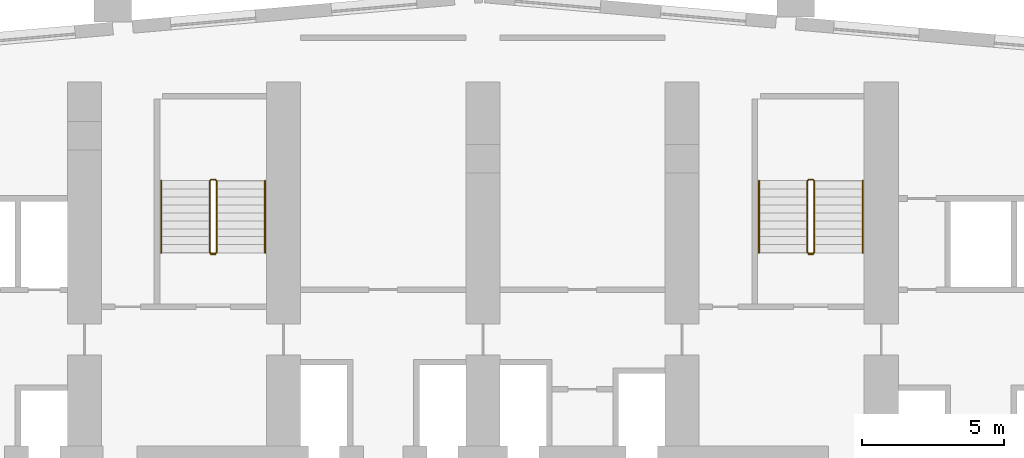
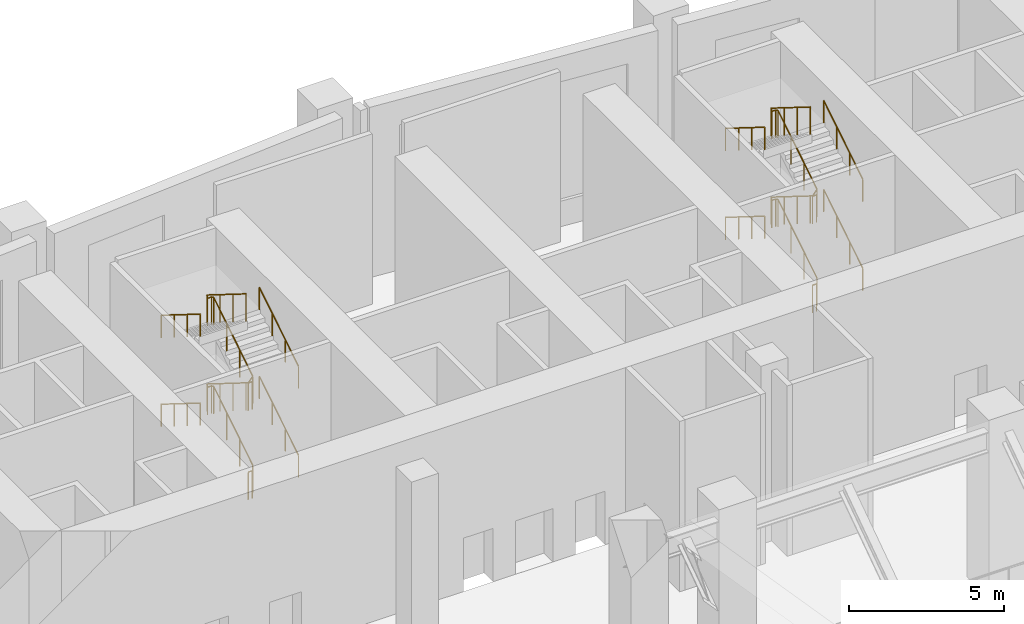
# One storey, part 40 of 41: 12 railings.
"""IFC4 building model written with IfcOpenShell, lengths in metres."""

from ifc_helpers import new_model, si_unit, direction, frame, origin, origin_2d, place, context, subcontext, project, spatial, circle, extrude, material, type_object, element, save


model = new_model("IFC4")

# Units and contexts
model_context = context("Model", 3, precision=1e-05, world=origin(), true_north=direction((0.0, 1.0)))
body_context = subcontext(model_context, "Body", "Model", "MODEL_VIEW")
ifc_project = project(units=[si_unit("LENGTHUNIT", "METRE"), si_unit("AREAUNIT", "SQUARE_METRE"), si_unit("VOLUMEUNIT", "CUBIC_METRE"), si_unit("PLANEANGLEUNIT", "RADIAN"), si_unit("MASSUNIT", "GRAM", prefix="KILO")], contexts=[model_context])

# Site, building, storey
site_placement = place(None, origin())
site = spatial("IfcSite", under=ifc_project, at=site_placement, CompositionType="ELEMENT")
building_placement = place(site_placement, origin())
building = spatial("IfcBuilding", under=site, at=building_placement, Name="Wharfspan Tower", CompositionType="ELEMENT")
storey_placement = place(building_placement, frame((0.0, 0.0, 8.0)))
storey = spatial("IfcBuildingStorey", under=building, at=storey_placement, Name="L01", CompositionType="ELEMENT", Elevation=8.0)

# Railings
ifc_material = material(Name="Steel S355J2", Category="steel")
railing_type_1 = type_object("IfcRailingType", Name="Stair guard 1100", PredefinedType="GUARDRAIL", material=ifc_material)
railing_1_placement = place(storey_placement, frame((27.649902, 42.0, 0.175049)))
element("IfcRailing", 1, at=railing_1_placement, inside=storey, type_object=railing_type_1, Name="L01 ST1 stair guard 1", PredefinedType="GUARDRAIL", context=body_context, shape_type="SweptSolid", body=[
    extrude(circle(Radius=0.023926, at=origin_2d()), frame((0.0, 0.0, 1.076172), z_axis=(0.0, 0.848008, 0.529984), x_axis=(-1.0, 0.0, 0.0)), (0.0, 0.0, 1.0), 2.97168),
    extrude(circle(Radius=0.023926, at=origin_2d()), frame((0.0, 2.52002, 2.650879), z_axis=(-0.705376, 0.708834, 0.0), x_axis=(-0.708834, -0.705376, 0.0)), (0.0, 0.0, 1.0), 0.070557),
    extrude(circle(Radius=0.023926, at=origin_2d()), frame((-0.049805, 2.570068, 2.650879), z_axis=(-1.0, 0.0, 0.0), x_axis=(0.0, -1.0, 0.0)), (0.0, 0.0, 1.0), 0.150146),
    extrude(circle(Radius=0.023926, at=origin_2d()), frame((-0.199951, 2.570068, 2.650879), z_axis=(-0.265065, -0.265065, 0.927082), x_axis=(0.707107, -0.707107, 0.0)), (0.0, 0.0, 1.0), 0.188721),
    extrude(circle(Radius=0.023926, at=origin_2d()), frame((-0.25, 2.52002, 2.826172), z_axis=(0.0, -0.848008, 0.529984), x_axis=(1.0, 0.0, 0.0)), (0.0, 0.0, 1.0), 2.97168),
    extrude(circle(Radius=0.023926, at=origin_2d()), frame((-0.25, 0.0, 4.400879), z_axis=(0.970143, -0.242536, 0.0), x_axis=(0.242536, 0.970143, 0.0)), (0.0, 0.0, 1.0), 0.206299),
    extrude(circle(Radius=0.023926, at=origin_2d()), frame((-0.049805, -0.050049, 4.400879), z_axis=(-1.0, 0.0, 0.0), x_axis=(0.0, -1.0, 0.0)), (0.0, 0.0, 1.0), 0.150146),
    extrude(circle(Radius=0.023926, at=origin_2d()), frame((-0.199951, -0.050049, 4.400879), z_axis=(0.739407, 0.185078, 0.64732), x_axis=(-0.242817, 0.970077, 1e-06)), (0.0, 0.0, 1.0), 0.270508),
    extrude(circle(Radius=0.023926, at=origin_2d()), frame((0.0, 0.0, 4.576172), z_axis=(0.0, 0.848008, 0.529984), x_axis=(-1.0, 0.0, 0.0)), (0.0, 0.0, 1.0), 2.97168),
    extrude(circle(Radius=0.023926, at=origin_2d()), frame((0.0, 2.52002, 6.150879), z_axis=(-0.705376, 0.708834, 0.0), x_axis=(-0.708834, -0.705376, 0.0)), (0.0, 0.0, 1.0), 0.070557),
    extrude(circle(Radius=0.023926, at=origin_2d()), frame((-0.049805, 2.570068, 6.150879), z_axis=(-1.0, 0.0, 0.0), x_axis=(0.0, -1.0, 0.0)), (0.0, 0.0, 1.0), 0.150146),
    extrude(circle(Radius=0.023926, at=origin_2d()), frame((-0.199951, 2.570068, 6.150879), z_axis=(-0.265065, -0.265065, 0.927082), x_axis=(0.707107, -0.707107, 0.0)), (0.0, 0.0, 1.0), 0.188721),
    extrude(circle(Radius=0.023926, at=origin_2d()), frame((-0.25, 2.52002, 6.326172), z_axis=(0.0, -0.848008, 0.529984), x_axis=(1.0, 0.0, 0.0)), (0.0, 0.0, 1.0), 2.97168),
    extrude(circle(Radius=0.020996, at=origin_2d()), origin(), (0.0, 0.0, 1.0), 1.052002),
    extrude(circle(Radius=0.020996, at=origin_2d()), frame((0.0, 0.840088, 0.524902)), (0.0, 0.0, 1.0), 1.052002),
    extrude(circle(Radius=0.020996, at=origin_2d()), frame((0.0, 1.679932, 1.050049)), (0.0, 0.0, 1.0), 1.052002),
    extrude(circle(Radius=0.020996, at=origin_2d()), frame((0.0, 2.52002, 1.574951)), (0.0, 0.0, 1.0), 1.052002),
    extrude(circle(Radius=0.020996, at=origin_2d()), frame((-0.049805, 2.570068, 1.574951)), (0.0, 0.0, 1.0), 1.052002),
    extrude(circle(Radius=0.020996, at=origin_2d()), frame((-0.199951, 2.570068, 1.574951)), (0.0, 0.0, 1.0), 1.052002),
    extrude(circle(Radius=0.020996, at=origin_2d()), frame((-0.25, 2.52002, 1.75)), (0.0, 0.0, 1.0), 1.052002),
    extrude(circle(Radius=0.020996, at=origin_2d()), frame((-0.25, 1.679932, 2.274902)), (0.0, 0.0, 1.0), 1.052002),
    extrude(circle(Radius=0.020996, at=origin_2d()), frame((-0.25, 0.840088, 2.800049)), (0.0, 0.0, 1.0), 1.052002),
    extrude(circle(Radius=0.020996, at=origin_2d()), frame((-0.25, 0.0, 3.324951)), (0.0, 0.0, 1.0), 1.052002),
    extrude(circle(Radius=0.020996, at=origin_2d()), frame((-0.049805, -0.050049, 3.324951)), (0.0, 0.0, 1.0), 1.052002),
    extrude(circle(Radius=0.020996, at=origin_2d()), frame((-0.199951, -0.050049, 3.324951)), (0.0, 0.0, 1.0), 1.052002),
    extrude(circle(Radius=0.020996, at=origin_2d()), frame((0.0, 0.0, 3.5)), (0.0, 0.0, 1.0), 1.052002),
    extrude(circle(Radius=0.020996, at=origin_2d()), frame((0.0, 0.840088, 4.024902)), (0.0, 0.0, 1.0), 1.052002),
    extrude(circle(Radius=0.020996, at=origin_2d()), frame((0.0, 1.679932, 4.550049)), (0.0, 0.0, 1.0), 1.052002),
    extrude(circle(Radius=0.020996, at=origin_2d()), frame((0.0, 2.52002, 5.074951)), (0.0, 0.0, 1.0), 1.052002),
    extrude(circle(Radius=0.020996, at=origin_2d()), frame((-0.049805, 2.570068, 5.074951)), (0.0, 0.0, 1.0), 1.052002),
    extrude(circle(Radius=0.020996, at=origin_2d()), frame((-0.199951, 2.570068, 5.074951)), (0.0, 0.0, 1.0), 1.052002),
    extrude(circle(Radius=0.020996, at=origin_2d()), frame((-0.25, 2.52002, 5.25)), (0.0, 0.0, 1.0), 1.052002),
    extrude(circle(Radius=0.020996, at=origin_2d()), frame((-0.25, 1.679932, 5.774902)), (0.0, 0.0, 1.0), 1.052002),
    extrude(circle(Radius=0.020996, at=origin_2d()), frame((-0.25, 0.840088, 6.300049)), (0.0, 0.0, 1.0), 1.052002),
    extrude(circle(Radius=0.020996, at=origin_2d()), frame((-0.25, 0.0, 6.824951)), (0.0, 0.0, 1.0), 1.052002),
])
railing_2_placement = place(storey_placement, frame((27.600098, 41.949951, 0.0)))
element("IfcRailing", 2, at=railing_2_placement, inside=storey, type_object=railing_type_1, Name="L01 ST1 stair guard 2", PredefinedType="GUARDRAIL", context=body_context, shape_type="SweptSolid", body=[
    extrude(circle(Radius=0.023926, at=origin_2d()), frame((0.0, 0.0, 1.076172), z_axis=(-1.0, 0.0, 0.0), x_axis=(0.0, -1.0, 0.0)), (0.0, 0.0, 1.0), 0.150146),
    extrude(circle(Radius=0.020996, at=origin_2d()), origin(), (0.0, 0.0, 1.0), 1.052002),
    extrude(circle(Radius=0.020996, at=origin_2d()), frame((-0.150146, 0.0, 0.0)), (0.0, 0.0, 1.0), 1.052002),
])
railing_3_placement = place(storey_placement, frame((48.649902, 42.0, 0.175049)))
element("IfcRailing", 3, at=railing_3_placement, inside=storey, type_object=railing_type_1, Name="L01 ST2 stair guard 1", PredefinedType="GUARDRAIL", context=body_context, shape_type="SweptSolid", body=[
    extrude(circle(Radius=0.023926, at=origin_2d()), frame((0.0, 0.0, 1.076172), z_axis=(0.0, 0.848008, 0.529984), x_axis=(-1.0, 0.0, 0.0)), (0.0, 0.0, 1.0), 2.97168),
    extrude(circle(Radius=0.023926, at=origin_2d()), frame((0.0, 2.52002, 2.650879), z_axis=(-0.705376, 0.708834, 0.0), x_axis=(-0.708834, -0.705376, 0.0)), (0.0, 0.0, 1.0), 0.070557),
    extrude(circle(Radius=0.023926, at=origin_2d()), frame((-0.049805, 2.570068, 2.650879), z_axis=(-1.0, 0.0, 0.0), x_axis=(0.0, -1.0, 0.0)), (0.0, 0.0, 1.0), 0.150146),
    extrude(circle(Radius=0.023926, at=origin_2d()), frame((-0.199951, 2.570068, 2.650879), z_axis=(-0.265065, -0.265065, 0.927082), x_axis=(0.707107, -0.707107, 0.0)), (0.0, 0.0, 1.0), 0.188721),
    extrude(circle(Radius=0.023926, at=origin_2d()), frame((-0.25, 2.52002, 2.826172), z_axis=(0.0, -0.848008, 0.529984), x_axis=(1.0, 0.0, 0.0)), (0.0, 0.0, 1.0), 2.97168),
    extrude(circle(Radius=0.023926, at=origin_2d()), frame((-0.25, 0.0, 4.400879), z_axis=(0.970143, -0.242536, 0.0), x_axis=(0.242536, 0.970143, 0.0)), (0.0, 0.0, 1.0), 0.206299),
    extrude(circle(Radius=0.023926, at=origin_2d()), frame((-0.049805, -0.050049, 4.400879), z_axis=(-1.0, 0.0, 0.0), x_axis=(0.0, -1.0, 0.0)), (0.0, 0.0, 1.0), 0.150146),
    extrude(circle(Radius=0.023926, at=origin_2d()), frame((-0.199951, -0.050049, 4.400879), z_axis=(0.739407, 0.185078, 0.64732), x_axis=(-0.242817, 0.970077, 1e-06)), (0.0, 0.0, 1.0), 0.270508),
    extrude(circle(Radius=0.023926, at=origin_2d()), frame((0.0, 0.0, 4.576172), z_axis=(0.0, 0.848008, 0.529984), x_axis=(-1.0, 0.0, 0.0)), (0.0, 0.0, 1.0), 2.97168),
    extrude(circle(Radius=0.023926, at=origin_2d()), frame((0.0, 2.52002, 6.150879), z_axis=(-0.705376, 0.708834, 0.0), x_axis=(-0.708834, -0.705376, 0.0)), (0.0, 0.0, 1.0), 0.070557),
    extrude(circle(Radius=0.023926, at=origin_2d()), frame((-0.049805, 2.570068, 6.150879), z_axis=(-1.0, 0.0, 0.0), x_axis=(0.0, -1.0, 0.0)), (0.0, 0.0, 1.0), 0.150146),
    extrude(circle(Radius=0.023926, at=origin_2d()), frame((-0.199951, 2.570068, 6.150879), z_axis=(-0.265065, -0.265065, 0.927082), x_axis=(0.707107, -0.707107, 0.0)), (0.0, 0.0, 1.0), 0.188721),
    extrude(circle(Radius=0.023926, at=origin_2d()), frame((-0.25, 2.52002, 6.326172), z_axis=(0.0, -0.848008, 0.529984), x_axis=(1.0, 0.0, 0.0)), (0.0, 0.0, 1.0), 2.97168),
    extrude(circle(Radius=0.020996, at=origin_2d()), origin(), (0.0, 0.0, 1.0), 1.052002),
    extrude(circle(Radius=0.020996, at=origin_2d()), frame((0.0, 0.840088, 0.524902)), (0.0, 0.0, 1.0), 1.052002),
    extrude(circle(Radius=0.020996, at=origin_2d()), frame((0.0, 1.679932, 1.050049)), (0.0, 0.0, 1.0), 1.052002),
    extrude(circle(Radius=0.020996, at=origin_2d()), frame((0.0, 2.52002, 1.574951)), (0.0, 0.0, 1.0), 1.052002),
    extrude(circle(Radius=0.020996, at=origin_2d()), frame((-0.049805, 2.570068, 1.574951)), (0.0, 0.0, 1.0), 1.052002),
    extrude(circle(Radius=0.020996, at=origin_2d()), frame((-0.199951, 2.570068, 1.574951)), (0.0, 0.0, 1.0), 1.052002),
    extrude(circle(Radius=0.020996, at=origin_2d()), frame((-0.25, 2.52002, 1.75)), (0.0, 0.0, 1.0), 1.052002),
    extrude(circle(Radius=0.020996, at=origin_2d()), frame((-0.25, 1.679932, 2.274902)), (0.0, 0.0, 1.0), 1.052002),
    extrude(circle(Radius=0.020996, at=origin_2d()), frame((-0.25, 0.840088, 2.800049)), (0.0, 0.0, 1.0), 1.052002),
    extrude(circle(Radius=0.020996, at=origin_2d()), frame((-0.25, 0.0, 3.324951)), (0.0, 0.0, 1.0), 1.052002),
    extrude(circle(Radius=0.020996, at=origin_2d()), frame((-0.049805, -0.050049, 3.324951)), (0.0, 0.0, 1.0), 1.052002),
    extrude(circle(Radius=0.020996, at=origin_2d()), frame((-0.199951, -0.050049, 3.324951)), (0.0, 0.0, 1.0), 1.052002),
    extrude(circle(Radius=0.020996, at=origin_2d()), frame((0.0, 0.0, 3.5)), (0.0, 0.0, 1.0), 1.052002),
    extrude(circle(Radius=0.020996, at=origin_2d()), frame((0.0, 0.840088, 4.024902)), (0.0, 0.0, 1.0), 1.052002),
    extrude(circle(Radius=0.020996, at=origin_2d()), frame((0.0, 1.679932, 4.550049)), (0.0, 0.0, 1.0), 1.052002),
    extrude(circle(Radius=0.020996, at=origin_2d()), frame((0.0, 2.52002, 5.074951)), (0.0, 0.0, 1.0), 1.052002),
    extrude(circle(Radius=0.020996, at=origin_2d()), frame((-0.049805, 2.570068, 5.074951)), (0.0, 0.0, 1.0), 1.052002),
    extrude(circle(Radius=0.020996, at=origin_2d()), frame((-0.199951, 2.570068, 5.074951)), (0.0, 0.0, 1.0), 1.052002),
    extrude(circle(Radius=0.020996, at=origin_2d()), frame((-0.25, 2.52002, 5.25)), (0.0, 0.0, 1.0), 1.052002),
    extrude(circle(Radius=0.020996, at=origin_2d()), frame((-0.25, 1.679932, 5.774902)), (0.0, 0.0, 1.0), 1.052002),
    extrude(circle(Radius=0.020996, at=origin_2d()), frame((-0.25, 0.840088, 6.300049)), (0.0, 0.0, 1.0), 1.052002),
    extrude(circle(Radius=0.020996, at=origin_2d()), frame((-0.25, 0.0, 6.824951)), (0.0, 0.0, 1.0), 1.052002),
])
railing_4_placement = place(storey_placement, frame((48.600098, 41.949951, 0.0)))
element("IfcRailing", 4, at=railing_4_placement, inside=storey, type_object=railing_type_1, Name="L01 ST2 stair guard 2", PredefinedType="GUARDRAIL", context=body_context, shape_type="SweptSolid", body=[
    extrude(circle(Radius=0.023926, at=origin_2d()), frame((0.0, 0.0, 1.076172), z_axis=(-1.0, 0.0, 0.0), x_axis=(0.0, -1.0, 0.0)), (0.0, 0.0, 1.0), 0.150146),
    extrude(circle(Radius=0.020996, at=origin_2d()), origin(), (0.0, 0.0, 1.0), 1.052002),
    extrude(circle(Radius=0.020996, at=origin_2d()), frame((-0.150146, 0.0, 0.0)), (0.0, 0.0, 1.0), 1.052002),
])
railing_type_2 = type_object("IfcRailingType", Name="Stair handrail 900", PredefinedType="HANDRAIL", material=ifc_material)
railing_5_placement = place(storey_placement, frame((29.350098, 42.0, 0.175049)))
element("IfcRailing", 5, at=railing_5_placement, inside=storey, type_object=railing_type_2, Name="L01 ST1 stair handrail 1", PredefinedType="HANDRAIL", context=body_context, shape_type="SweptSolid", body=[
    extrude(circle(Radius=0.023926, at=origin_2d()), frame((0.0, 0.0, 0.875977), z_axis=(0.0, 0.848008, 0.529984), x_axis=(-1.0, 0.0, 0.0)), (0.0, 0.0, 1.0), 2.97168),
    extrude(circle(Radius=0.020996, at=origin_2d()), origin(), (0.0, 0.0, 1.0), 0.851807),
    extrude(circle(Radius=0.020996, at=origin_2d()), frame((0.0, 0.840088, 0.524902)), (0.0, 0.0, 1.0), 0.851807),
    extrude(circle(Radius=0.020996, at=origin_2d()), frame((0.0, 1.679932, 1.050049)), (0.0, 0.0, 1.0), 0.851807),
    extrude(circle(Radius=0.020996, at=origin_2d()), frame((0.0, 2.52002, 1.574951)), (0.0, 0.0, 1.0), 0.851807),
])
railing_6_placement = place(storey_placement, frame((25.699951, 44.52002, 1.925049)))
element("IfcRailing", 6, at=railing_6_placement, inside=storey, type_object=railing_type_2, Name="L01 ST1 stair handrail 2", PredefinedType="HANDRAIL", context=body_context, shape_type="SweptSolid", body=[
    extrude(circle(Radius=0.023926, at=origin_2d()), frame((0.0, 0.0, 0.875977), z_axis=(0.0, -0.848008, 0.529984), x_axis=(1.0, 0.0, 0.0)), (0.0, 0.0, 1.0), 2.97168),
    extrude(circle(Radius=0.020996, at=origin_2d()), origin(), (0.0, 0.0, 1.0), 0.851807),
    extrude(circle(Radius=0.020996, at=origin_2d()), frame((0.0, -0.840088, 0.524902)), (0.0, 0.0, 1.0), 0.851807),
    extrude(circle(Radius=0.020996, at=origin_2d()), frame((0.0, -1.679932, 1.050049)), (0.0, 0.0, 1.0), 0.851807),
    extrude(circle(Radius=0.020996, at=origin_2d()), frame((0.0, -2.52002, 1.574951)), (0.0, 0.0, 1.0), 0.851807),
])
railing_7_placement = place(storey_placement, frame((29.350098, 42.0, 3.675049)))
element("IfcRailing", 7, at=railing_7_placement, inside=storey, type_object=railing_type_2, Name="L01 ST1 stair handrail 3", PredefinedType="HANDRAIL", context=body_context, shape_type="SweptSolid", body=[
    extrude(circle(Radius=0.023926, at=origin_2d()), frame((0.0, 0.0, 0.875977), z_axis=(0.0, 0.848008, 0.529984), x_axis=(-1.0, 0.0, 0.0)), (0.0, 0.0, 1.0), 2.97168),
    extrude(circle(Radius=0.020996, at=origin_2d()), origin(), (0.0, 0.0, 1.0), 0.851807),
    extrude(circle(Radius=0.020996, at=origin_2d()), frame((0.0, 0.840088, 0.524902)), (0.0, 0.0, 1.0), 0.851807),
    extrude(circle(Radius=0.020996, at=origin_2d()), frame((0.0, 1.679932, 1.050049)), (0.0, 0.0, 1.0), 0.851807),
    extrude(circle(Radius=0.020996, at=origin_2d()), frame((0.0, 2.52002, 1.574951)), (0.0, 0.0, 1.0), 0.851807),
])
railing_8_placement = place(storey_placement, frame((25.699951, 44.52002, 5.425049)))
element("IfcRailing", 8, at=railing_8_placement, inside=storey, type_object=railing_type_2, Name="L01 ST1 stair handrail 4", PredefinedType="HANDRAIL", context=body_context, shape_type="SweptSolid", body=[
    extrude(circle(Radius=0.023926, at=origin_2d()), frame((0.0, 0.0, 0.875977), z_axis=(0.0, -0.848008, 0.529984), x_axis=(1.0, 0.0, 0.0)), (0.0, 0.0, 1.0), 2.97168),
    extrude(circle(Radius=0.020996, at=origin_2d()), origin(), (0.0, 0.0, 1.0), 0.851807),
    extrude(circle(Radius=0.020996, at=origin_2d()), frame((0.0, -0.840088, 0.524902)), (0.0, 0.0, 1.0), 0.851807),
    extrude(circle(Radius=0.020996, at=origin_2d()), frame((0.0, -1.679932, 1.050049)), (0.0, 0.0, 1.0), 0.851807),
    extrude(circle(Radius=0.020996, at=origin_2d()), frame((0.0, -2.52002, 1.574951)), (0.0, 0.0, 1.0), 0.851807),
])
railing_9_placement = place(storey_placement, frame((50.350098, 42.0, 0.175049)))
element("IfcRailing", 9, at=railing_9_placement, inside=storey, type_object=railing_type_2, Name="L01 ST2 stair handrail 1", PredefinedType="HANDRAIL", context=body_context, shape_type="SweptSolid", body=[
    extrude(circle(Radius=0.023926, at=origin_2d()), frame((0.0, 0.0, 0.875977), z_axis=(0.0, 0.848008, 0.529984), x_axis=(-1.0, 0.0, 0.0)), (0.0, 0.0, 1.0), 2.97168),
    extrude(circle(Radius=0.020996, at=origin_2d()), origin(), (0.0, 0.0, 1.0), 0.851807),
    extrude(circle(Radius=0.020996, at=origin_2d()), frame((0.0, 0.840088, 0.524902)), (0.0, 0.0, 1.0), 0.851807),
    extrude(circle(Radius=0.020996, at=origin_2d()), frame((0.0, 1.679932, 1.050049)), (0.0, 0.0, 1.0), 0.851807),
    extrude(circle(Radius=0.020996, at=origin_2d()), frame((0.0, 2.52002, 1.574951)), (0.0, 0.0, 1.0), 0.851807),
])
railing_10_placement = place(storey_placement, frame((46.699951, 44.52002, 1.925049)))
element("IfcRailing", 10, at=railing_10_placement, inside=storey, type_object=railing_type_2, Name="L01 ST2 stair handrail 2", PredefinedType="HANDRAIL", context=body_context, shape_type="SweptSolid", body=[
    extrude(circle(Radius=0.023926, at=origin_2d()), frame((0.0, 0.0, 0.875977), z_axis=(0.0, -0.848008, 0.529984), x_axis=(1.0, 0.0, 0.0)), (0.0, 0.0, 1.0), 2.97168),
    extrude(circle(Radius=0.020996, at=origin_2d()), origin(), (0.0, 0.0, 1.0), 0.851807),
    extrude(circle(Radius=0.020996, at=origin_2d()), frame((0.0, -0.840088, 0.524902)), (0.0, 0.0, 1.0), 0.851807),
    extrude(circle(Radius=0.020996, at=origin_2d()), frame((0.0, -1.679932, 1.050049)), (0.0, 0.0, 1.0), 0.851807),
    extrude(circle(Radius=0.020996, at=origin_2d()), frame((0.0, -2.52002, 1.574951)), (0.0, 0.0, 1.0), 0.851807),
])
railing_11_placement = place(storey_placement, frame((50.350098, 42.0, 3.675049)))
element("IfcRailing", 11, at=railing_11_placement, inside=storey, type_object=railing_type_2, Name="L01 ST2 stair handrail 3", PredefinedType="HANDRAIL", context=body_context, shape_type="SweptSolid", body=[
    extrude(circle(Radius=0.023926, at=origin_2d()), frame((0.0, 0.0, 0.875977), z_axis=(0.0, 0.848008, 0.529984), x_axis=(-1.0, 0.0, 0.0)), (0.0, 0.0, 1.0), 2.97168),
    extrude(circle(Radius=0.020996, at=origin_2d()), origin(), (0.0, 0.0, 1.0), 0.851807),
    extrude(circle(Radius=0.020996, at=origin_2d()), frame((0.0, 0.840088, 0.524902)), (0.0, 0.0, 1.0), 0.851807),
    extrude(circle(Radius=0.020996, at=origin_2d()), frame((0.0, 1.679932, 1.050049)), (0.0, 0.0, 1.0), 0.851807),
    extrude(circle(Radius=0.020996, at=origin_2d()), frame((0.0, 2.52002, 1.574951)), (0.0, 0.0, 1.0), 0.851807),
])
railing_12_placement = place(storey_placement, frame((46.699951, 44.52002, 5.425049)))
element("IfcRailing", 12, at=railing_12_placement, inside=storey, type_object=railing_type_2, Name="L01 ST2 stair handrail 4", PredefinedType="HANDRAIL", context=body_context, shape_type="SweptSolid", body=[
    extrude(circle(Radius=0.023926, at=origin_2d()), frame((0.0, 0.0, 0.875977), z_axis=(0.0, -0.848008, 0.529984), x_axis=(1.0, 0.0, 0.0)), (0.0, 0.0, 1.0), 2.97168),
    extrude(circle(Radius=0.020996, at=origin_2d()), origin(), (0.0, 0.0, 1.0), 0.851807),
    extrude(circle(Radius=0.020996, at=origin_2d()), frame((0.0, -0.840088, 0.524902)), (0.0, 0.0, 1.0), 0.851807),
    extrude(circle(Radius=0.020996, at=origin_2d()), frame((0.0, -1.679932, 1.050049)), (0.0, 0.0, 1.0), 0.851807),
    extrude(circle(Radius=0.020996, at=origin_2d()), frame((0.0, -2.52002, 1.574951)), (0.0, 0.0, 1.0), 0.851807),
])

save(model, "model.ifc")
